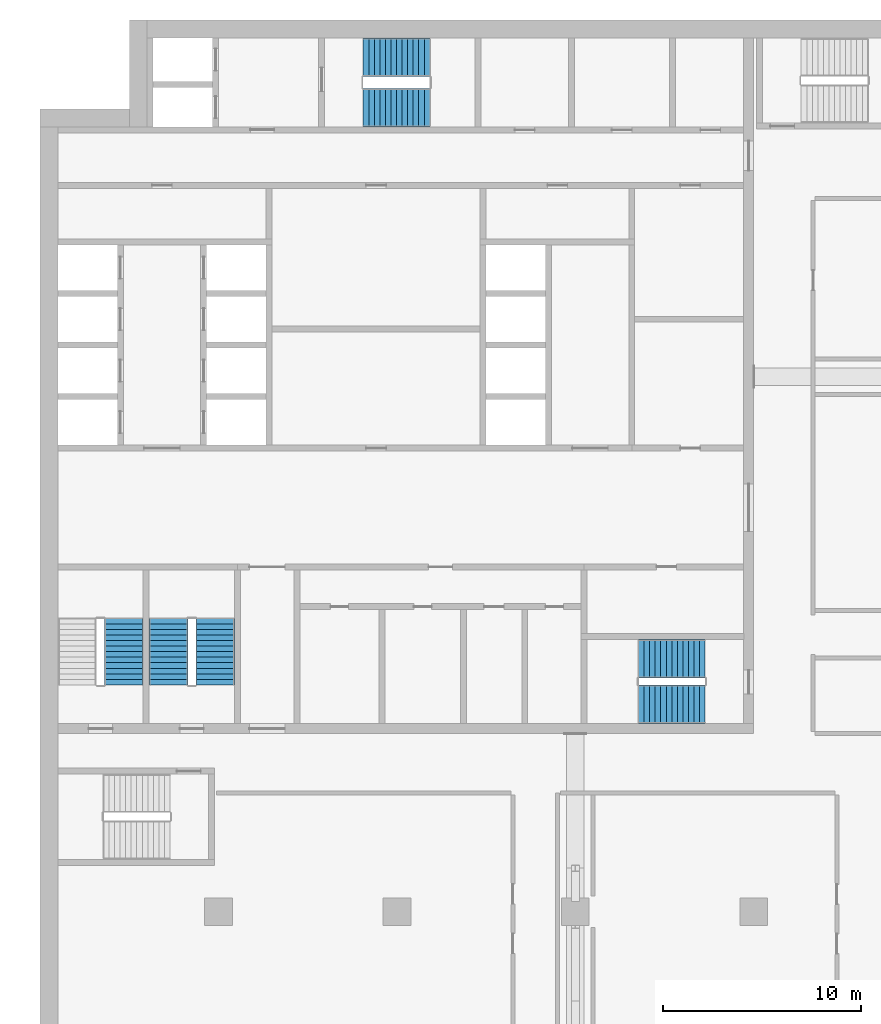
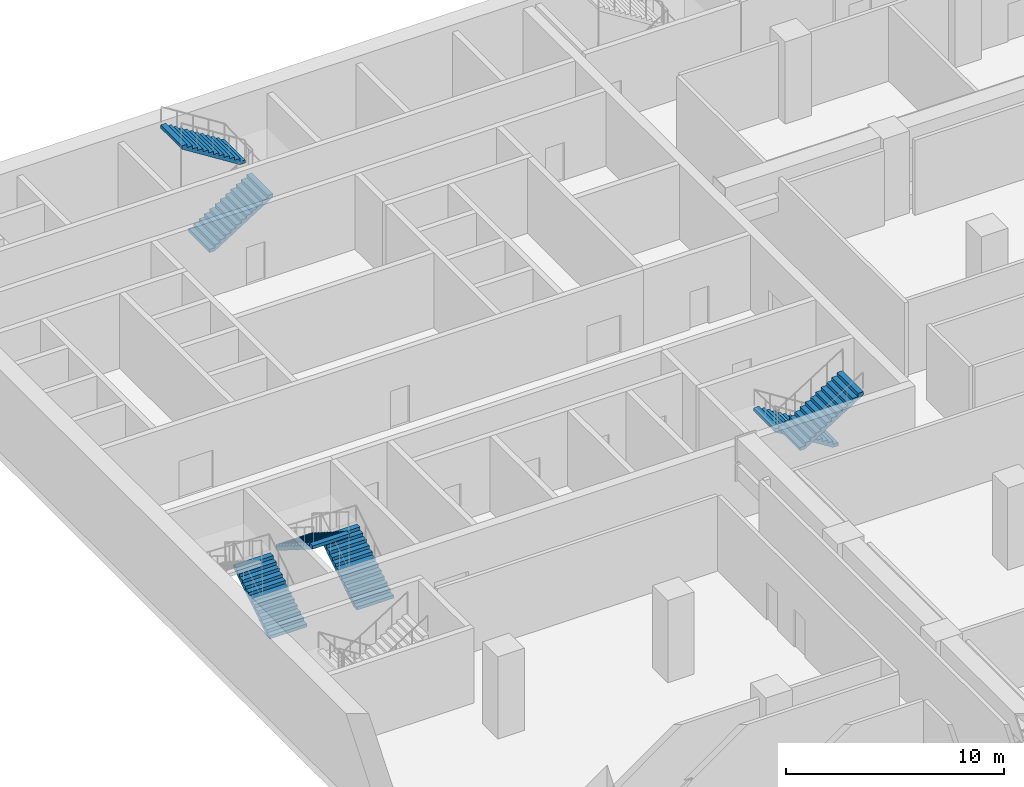
# One storey, part 16 of 24: 7 stair flights, 4 elements without a shape of their own.
"""IFC4 building model written with IfcOpenShell, lengths in metres."""

from ifc_helpers import new_model, si_unit, direction, frame, origin, place, context, subcontext, project, spatial, polyline, outline, extrude, material, type_object, element, aggregate, save


model = new_model("IFC4")

# Units and contexts
model_context = context("Model", 3, precision=1e-05, world=origin(), true_north=direction((0.0, 1.0)))
body_context = subcontext(model_context, "Body", "Model", "MODEL_VIEW")
ifc_project = project(units=[si_unit("LENGTHUNIT", "METRE"), si_unit("AREAUNIT", "SQUARE_METRE"), si_unit("VOLUMEUNIT", "CUBIC_METRE"), si_unit("PLANEANGLEUNIT", "RADIAN"), si_unit("MASSUNIT", "GRAM", prefix="KILO")], contexts=[model_context])

# Site, building, storey
site_placement = place(None, origin())
site = spatial("IfcSite", under=ifc_project, at=site_placement, CompositionType="ELEMENT")
building_placement = place(site_placement, origin())
building = spatial("IfcBuilding", under=site, at=building_placement, Name="Hunhe Ridgeline Campus", CompositionType="ELEMENT")
storey_placement = place(building_placement, frame((0.0, 0.0, 80.199951171875)))
storey = spatial("IfcBuildingStorey", under=building, at=storey_placement, Name="L19", CompositionType="ELEMENT", Elevation=80.199951171875)

# Stair, stair flights
ifc_material = material(Name="Concrete C40", Category="concrete")
stair_type = type_object("IfcStairType", Name="Reinforced concrete dog-leg stair 1950 Concrete C40", PredefinedType="HALF_TURN_STAIR", material=ifc_material)
stair_1_placement = place(storey_placement, origin())
stair_1 = element("IfcStair", 1, at=stair_1_placement, inside=storey, type_object=stair_type, Name="L19 S1", PredefinedType="HALF_TURN_STAIR")
stair_flight_type = type_object("IfcStairFlightType", Name="Reinforced concrete stair flight 1950 Concrete C40", PredefinedType="STRAIGHT", material=ifc_material)
stair_flight_1_placement = place(storey_placement, frame((16.300048828125, 94.574951171875, 0.0), z_axis=(0.0, 0.0, 1.0), x_axis=(1.0, 0.0, 0.0)))
stair_flight_1 = element("IfcStairFlight", 2, at=stair_flight_1_placement, type_object=stair_flight_type, Name="ST1 flight 1", NumberOfRisers=13, NumberOfTreads=12, PredefinedType="STRAIGHT", RiserHeight=0.176923077, TreadLength=0.28, context=body_context, shape_type="SweptSolid", body=[
    extrude(outline(polyline([(0.0, 0.0), (0.0, 0.177001953125), (0.280029296875, 0.177001953125), (0.280029296875, 0.353759765625), (0.56005859375, 0.353759765625), (0.56005859375, 0.53076171875), (0.840087890625, 0.53076171875), (0.840087890625, 0.707763671875), (1.1201171875, 0.707763671875), (1.1201171875, 0.884521484375), (1.39990234375, 0.884521484375), (1.39990234375, 1.0615234375), (1.679931640625, 1.0615234375), (1.679931640625, 1.238525390625), (1.9599609375, 1.238525390625), (1.9599609375, 1.415283203125), (2.239990234375, 1.415283203125), (2.239990234375, 1.59228515625), (2.52001953125, 1.59228515625), (2.52001953125, 1.769287109375), (2.800048828125, 1.769287109375), (2.800048828125, 1.946044921875), (3.080078125, 1.946044921875), (3.080078125, 2.123046875), (3.360107421875, 2.123046875), (3.360107421875, 2.300048828125), (3.360107421875, 1.94580078125), (0.280517578125, 0.0), (0.0, 0.0)])), frame((0.0, 0.97509765625, 0.0), z_axis=(0.0, -1.0, 0.0), x_axis=(1.0, 0.0, 0.0)), (0.0, 0.0, 1.0), 1.949951171875),
    extrude(outline(polyline([(0.030029296875, 0.030029296875), (0.030029296875, 0.14697265625), (0.31005859375, 0.14697265625), (0.31005859375, 0.32373046875), (0.590087890625, 0.32373046875), (0.590087890625, 0.500732421875), (0.8701171875, 0.500732421875), (0.8701171875, 0.677734375), (1.14990234375, 0.677734375), (1.14990234375, 0.8544921875), (1.429931640625, 0.8544921875), (1.429931640625, 1.031494140625), (1.7099609375, 1.031494140625), (1.7099609375, 1.20849609375), (1.989990234375, 1.20849609375), (1.989990234375, 1.385498046875), (2.27001953125, 1.385498046875), (2.27001953125, 1.562255859375), (2.550048828125, 1.562255859375), (2.550048828125, 1.7392578125), (2.830078125, 1.7392578125), (2.830078125, 1.916259765625), (3.110107421875, 1.916259765625), (3.110107421875, 2.093017578125), (3.330078125, 2.093017578125), (3.330078125, 1.96240234375), (0.27197265625, 0.030029296875), (0.030029296875, 0.030029296875)])), frame((0.0, -0.070068359375, 0.0), z_axis=(0.0, -1.0, 0.0), x_axis=(1.0, 0.0, 0.0)), (0.0, 0.0, 1.0), 0.019775390625),
    extrude(outline(polyline([(0.030029296875, 0.030029296875), (0.030029296875, 0.14697265625), (0.31005859375, 0.14697265625), (0.31005859375, 0.32373046875), (0.590087890625, 0.32373046875), (0.590087890625, 0.500732421875), (0.8701171875, 0.500732421875), (0.8701171875, 0.677734375), (1.14990234375, 0.677734375), (1.14990234375, 0.8544921875), (1.429931640625, 0.8544921875), (1.429931640625, 1.031494140625), (1.7099609375, 1.031494140625), (1.7099609375, 1.20849609375), (1.989990234375, 1.20849609375), (1.989990234375, 1.385498046875), (2.27001953125, 1.385498046875), (2.27001953125, 1.562255859375), (2.550048828125, 1.562255859375), (2.550048828125, 1.7392578125), (2.830078125, 1.7392578125), (2.830078125, 1.916259765625), (3.110107421875, 1.916259765625), (3.110107421875, 2.093017578125), (3.330078125, 2.093017578125), (3.330078125, 1.96240234375), (0.27197265625, 0.030029296875), (0.030029296875, 0.030029296875)])), frame((0.0, 0.010009765625, 0.0), z_axis=(0.0, -1.0, 0.0), x_axis=(1.0, 0.0, 0.0)), (0.0, 0.0, 1.0), 0.019775390625),
    extrude(outline(polyline([(0.030029296875, 0.030029296875), (0.030029296875, 0.14697265625), (0.31005859375, 0.14697265625), (0.31005859375, 0.32373046875), (0.590087890625, 0.32373046875), (0.590087890625, 0.500732421875), (0.8701171875, 0.500732421875), (0.8701171875, 0.677734375), (1.14990234375, 0.677734375), (1.14990234375, 0.8544921875), (1.429931640625, 0.8544921875), (1.429931640625, 1.031494140625), (1.7099609375, 1.031494140625), (1.7099609375, 1.20849609375), (1.989990234375, 1.20849609375), (1.989990234375, 1.385498046875), (2.27001953125, 1.385498046875), (2.27001953125, 1.562255859375), (2.550048828125, 1.562255859375), (2.550048828125, 1.7392578125), (2.830078125, 1.7392578125), (2.830078125, 1.916259765625), (3.110107421875, 1.916259765625), (3.110107421875, 2.093017578125), (3.330078125, 2.093017578125), (3.330078125, 1.96240234375), (0.27197265625, 0.030029296875), (0.030029296875, 0.030029296875)])), frame((0.0, 0.090087890625, 0.0), z_axis=(0.0, -1.0, 0.0), x_axis=(1.0, 0.0, 0.0)), (0.0, 0.0, 1.0), 0.019775390625),
])
stair_flight_2_placement = place(storey_placement, frame((19.659912109375, 97.125, 2.300048828125), z_axis=(0.0, 0.0, 1.0), x_axis=(-1.0, 0.0, 0.0)))
stair_flight_2 = element("IfcStairFlight", 3, at=stair_flight_2_placement, type_object=stair_flight_type, Name="ST1 flight 2", NumberOfRisers=13, NumberOfTreads=12, PredefinedType="STRAIGHT", RiserHeight=0.176923077, TreadLength=0.28, context=body_context, shape_type="SweptSolid", body=[
    extrude(outline(polyline([(0.0, 0.0), (0.0, 0.177001953125), (0.280029296875, 0.177001953125), (0.280029296875, 0.353759765625), (0.56005859375, 0.353759765625), (0.56005859375, 0.53076171875), (0.840087890625, 0.53076171875), (0.840087890625, 0.707763671875), (1.1201171875, 0.707763671875), (1.1201171875, 0.884521484375), (1.39990234375, 0.884521484375), (1.39990234375, 1.0615234375), (1.679931640625, 1.0615234375), (1.679931640625, 1.238525390625), (1.9599609375, 1.238525390625), (1.9599609375, 1.415283203125), (2.239990234375, 1.415283203125), (2.239990234375, 1.59228515625), (2.52001953125, 1.59228515625), (2.52001953125, 1.769287109375), (2.800048828125, 1.769287109375), (2.800048828125, 1.946044921875), (3.080078125, 1.946044921875), (3.080078125, 2.123046875), (3.360107421875, 2.123046875), (3.360107421875, 2.300048828125), (3.360107421875, 1.94580078125), (0.280517578125, 0.0), (0.0, 0.0)])), frame((0.0, 0.97509765625, 0.0), z_axis=(0.0, -1.0, 0.0), x_axis=(1.0, 0.0, 0.0)), (0.0, 0.0, 1.0), 1.949951171875),
    extrude(outline(polyline([(0.030029296875, 0.030029296875), (0.030029296875, 0.14697265625), (0.31005859375, 0.14697265625), (0.31005859375, 0.32373046875), (0.590087890625, 0.32373046875), (0.590087890625, 0.500732421875), (0.8701171875, 0.500732421875), (0.8701171875, 0.677734375), (1.14990234375, 0.677734375), (1.14990234375, 0.8544921875), (1.429931640625, 0.8544921875), (1.429931640625, 1.031494140625), (1.7099609375, 1.031494140625), (1.7099609375, 1.20849609375), (1.989990234375, 1.20849609375), (1.989990234375, 1.385498046875), (2.27001953125, 1.385498046875), (2.27001953125, 1.562255859375), (2.550048828125, 1.562255859375), (2.550048828125, 1.7392578125), (2.830078125, 1.7392578125), (2.830078125, 1.916259765625), (3.110107421875, 1.916259765625), (3.110107421875, 2.093017578125), (3.330078125, 2.093017578125), (3.330078125, 1.96240234375), (0.27197265625, 0.030029296875), (0.030029296875, 0.030029296875)])), frame((0.0, -0.070068359375, 0.0), z_axis=(0.0, -1.0, 0.0), x_axis=(1.0, 0.0, 0.0)), (0.0, 0.0, 1.0), 0.019775390625),
    extrude(outline(polyline([(0.030029296875, 0.030029296875), (0.030029296875, 0.14697265625), (0.31005859375, 0.14697265625), (0.31005859375, 0.32373046875), (0.590087890625, 0.32373046875), (0.590087890625, 0.500732421875), (0.8701171875, 0.500732421875), (0.8701171875, 0.677734375), (1.14990234375, 0.677734375), (1.14990234375, 0.8544921875), (1.429931640625, 0.8544921875), (1.429931640625, 1.031494140625), (1.7099609375, 1.031494140625), (1.7099609375, 1.20849609375), (1.989990234375, 1.20849609375), (1.989990234375, 1.385498046875), (2.27001953125, 1.385498046875), (2.27001953125, 1.562255859375), (2.550048828125, 1.562255859375), (2.550048828125, 1.7392578125), (2.830078125, 1.7392578125), (2.830078125, 1.916259765625), (3.110107421875, 1.916259765625), (3.110107421875, 2.093017578125), (3.330078125, 2.093017578125), (3.330078125, 1.96240234375), (0.27197265625, 0.030029296875), (0.030029296875, 0.030029296875)])), frame((0.0, 0.010009765625, 0.0), z_axis=(0.0, -1.0, 0.0), x_axis=(1.0, 0.0, 0.0)), (0.0, 0.0, 1.0), 0.019775390625),
    extrude(outline(polyline([(0.030029296875, 0.030029296875), (0.030029296875, 0.14697265625), (0.31005859375, 0.14697265625), (0.31005859375, 0.32373046875), (0.590087890625, 0.32373046875), (0.590087890625, 0.500732421875), (0.8701171875, 0.500732421875), (0.8701171875, 0.677734375), (1.14990234375, 0.677734375), (1.14990234375, 0.8544921875), (1.429931640625, 0.8544921875), (1.429931640625, 1.031494140625), (1.7099609375, 1.031494140625), (1.7099609375, 1.20849609375), (1.989990234375, 1.20849609375), (1.989990234375, 1.385498046875), (2.27001953125, 1.385498046875), (2.27001953125, 1.562255859375), (2.550048828125, 1.562255859375), (2.550048828125, 1.7392578125), (2.830078125, 1.7392578125), (2.830078125, 1.916259765625), (3.110107421875, 1.916259765625), (3.110107421875, 2.093017578125), (3.330078125, 2.093017578125), (3.330078125, 1.96240234375), (0.27197265625, 0.030029296875), (0.030029296875, 0.030029296875)])), frame((0.0, 0.090087890625, 0.0), z_axis=(0.0, -1.0, 0.0), x_axis=(1.0, 0.0, 0.0)), (0.0, 0.0, 1.0), 0.019775390625),
])
aggregate(stair_1, [stair_flight_1, stair_flight_2])

stair_2_placement = place(storey_placement, origin())
stair_2 = element("IfcStair", 4, at=stair_2_placement, inside=storey, type_object=stair_type, Name="L19 S2", PredefinedType="HALF_TURN_STAIR")
stair_flight_3_placement = place(storey_placement, frame((33.550048828125, 66.77490234375, 0.0), z_axis=(0.0, 0.0, 1.0), x_axis=(-1.0, 0.0, 0.0)))
stair_flight_3 = element("IfcStairFlight", 5, at=stair_flight_3_placement, type_object=stair_flight_type, Name="ST2 flight 1", NumberOfRisers=13, NumberOfTreads=12, PredefinedType="STRAIGHT", RiserHeight=0.176923077, TreadLength=0.28, context=body_context, shape_type="SweptSolid", body=[
    extrude(outline(polyline([(0.0, 0.0), (0.0, 0.177001953125), (0.280029296875, 0.177001953125), (0.280029296875, 0.353759765625), (0.56005859375, 0.353759765625), (0.56005859375, 0.53076171875), (0.840087890625, 0.53076171875), (0.840087890625, 0.707763671875), (1.1201171875, 0.707763671875), (1.1201171875, 0.884521484375), (1.39990234375, 0.884521484375), (1.39990234375, 1.0615234375), (1.679931640625, 1.0615234375), (1.679931640625, 1.238525390625), (1.9599609375, 1.238525390625), (1.9599609375, 1.415283203125), (2.239990234375, 1.415283203125), (2.239990234375, 1.59228515625), (2.52001953125, 1.59228515625), (2.52001953125, 1.769287109375), (2.800048828125, 1.769287109375), (2.800048828125, 1.946044921875), (3.080078125, 1.946044921875), (3.080078125, 2.123046875), (3.360107421875, 2.123046875), (3.360107421875, 2.300048828125), (3.360107421875, 1.94580078125), (0.280517578125, 0.0), (0.0, 0.0)])), frame((0.0, 0.97509765625, 0.0), z_axis=(0.0, -1.0, 0.0), x_axis=(1.0, 0.0, 0.0)), (0.0, 0.0, 1.0), 1.949951171875),
    extrude(outline(polyline([(0.030029296875, 0.030029296875), (0.030029296875, 0.14697265625), (0.31005859375, 0.14697265625), (0.31005859375, 0.32373046875), (0.590087890625, 0.32373046875), (0.590087890625, 0.500732421875), (0.8701171875, 0.500732421875), (0.8701171875, 0.677734375), (1.14990234375, 0.677734375), (1.14990234375, 0.8544921875), (1.429931640625, 0.8544921875), (1.429931640625, 1.031494140625), (1.7099609375, 1.031494140625), (1.7099609375, 1.20849609375), (1.989990234375, 1.20849609375), (1.989990234375, 1.385498046875), (2.27001953125, 1.385498046875), (2.27001953125, 1.562255859375), (2.550048828125, 1.562255859375), (2.550048828125, 1.7392578125), (2.830078125, 1.7392578125), (2.830078125, 1.916259765625), (3.110107421875, 1.916259765625), (3.110107421875, 2.093017578125), (3.330078125, 2.093017578125), (3.330078125, 1.96240234375), (0.27197265625, 0.030029296875), (0.030029296875, 0.030029296875)])), frame((0.0, -0.070068359375, 0.0), z_axis=(0.0, -1.0, 0.0), x_axis=(1.0, 0.0, 0.0)), (0.0, 0.0, 1.0), 0.019775390625),
    extrude(outline(polyline([(0.030029296875, 0.030029296875), (0.030029296875, 0.14697265625), (0.31005859375, 0.14697265625), (0.31005859375, 0.32373046875), (0.590087890625, 0.32373046875), (0.590087890625, 0.500732421875), (0.8701171875, 0.500732421875), (0.8701171875, 0.677734375), (1.14990234375, 0.677734375), (1.14990234375, 0.8544921875), (1.429931640625, 0.8544921875), (1.429931640625, 1.031494140625), (1.7099609375, 1.031494140625), (1.7099609375, 1.20849609375), (1.989990234375, 1.20849609375), (1.989990234375, 1.385498046875), (2.27001953125, 1.385498046875), (2.27001953125, 1.562255859375), (2.550048828125, 1.562255859375), (2.550048828125, 1.7392578125), (2.830078125, 1.7392578125), (2.830078125, 1.916259765625), (3.110107421875, 1.916259765625), (3.110107421875, 2.093017578125), (3.330078125, 2.093017578125), (3.330078125, 1.96240234375), (0.27197265625, 0.030029296875), (0.030029296875, 0.030029296875)])), frame((0.0, 0.010009765625, 0.0), z_axis=(0.0, -1.0, 0.0), x_axis=(1.0, 0.0, 0.0)), (0.0, 0.0, 1.0), 0.019775390625),
    extrude(outline(polyline([(0.030029296875, 0.030029296875), (0.030029296875, 0.14697265625), (0.31005859375, 0.14697265625), (0.31005859375, 0.32373046875), (0.590087890625, 0.32373046875), (0.590087890625, 0.500732421875), (0.8701171875, 0.500732421875), (0.8701171875, 0.677734375), (1.14990234375, 0.677734375), (1.14990234375, 0.8544921875), (1.429931640625, 0.8544921875), (1.429931640625, 1.031494140625), (1.7099609375, 1.031494140625), (1.7099609375, 1.20849609375), (1.989990234375, 1.20849609375), (1.989990234375, 1.385498046875), (2.27001953125, 1.385498046875), (2.27001953125, 1.562255859375), (2.550048828125, 1.562255859375), (2.550048828125, 1.7392578125), (2.830078125, 1.7392578125), (2.830078125, 1.916259765625), (3.110107421875, 1.916259765625), (3.110107421875, 2.093017578125), (3.330078125, 2.093017578125), (3.330078125, 1.96240234375), (0.27197265625, 0.030029296875), (0.030029296875, 0.030029296875)])), frame((0.0, 0.090087890625, 0.0), z_axis=(0.0, -1.0, 0.0), x_axis=(1.0, 0.0, 0.0)), (0.0, 0.0, 1.0), 0.019775390625),
])
stair_flight_4_placement = place(storey_placement, frame((30.18994140625, 64.47509765625, 2.300048828125), z_axis=(0.0, 0.0, 1.0), x_axis=(1.0, 0.0, 0.0)))
stair_flight_4 = element("IfcStairFlight", 6, at=stair_flight_4_placement, type_object=stair_flight_type, Name="ST2 flight 2", NumberOfRisers=13, NumberOfTreads=12, PredefinedType="STRAIGHT", RiserHeight=0.176923077, TreadLength=0.28, context=body_context, shape_type="SweptSolid", body=[
    extrude(outline(polyline([(0.0, 0.0), (0.0, 0.177001953125), (0.280029296875, 0.177001953125), (0.280029296875, 0.353759765625), (0.56005859375, 0.353759765625), (0.56005859375, 0.53076171875), (0.840087890625, 0.53076171875), (0.840087890625, 0.707763671875), (1.1201171875, 0.707763671875), (1.1201171875, 0.884521484375), (1.39990234375, 0.884521484375), (1.39990234375, 1.0615234375), (1.679931640625, 1.0615234375), (1.679931640625, 1.238525390625), (1.9599609375, 1.238525390625), (1.9599609375, 1.415283203125), (2.239990234375, 1.415283203125), (2.239990234375, 1.59228515625), (2.52001953125, 1.59228515625), (2.52001953125, 1.769287109375), (2.800048828125, 1.769287109375), (2.800048828125, 1.946044921875), (3.080078125, 1.946044921875), (3.080078125, 2.123046875), (3.360107421875, 2.123046875), (3.360107421875, 2.300048828125), (3.360107421875, 1.94580078125), (0.280517578125, 0.0), (0.0, 0.0)])), frame((0.0, 0.97509765625, 0.0), z_axis=(0.0, -1.0, 0.0), x_axis=(1.0, 0.0, 0.0)), (0.0, 0.0, 1.0), 1.949951171875),
    extrude(outline(polyline([(0.030029296875, 0.030029296875), (0.030029296875, 0.14697265625), (0.31005859375, 0.14697265625), (0.31005859375, 0.32373046875), (0.590087890625, 0.32373046875), (0.590087890625, 0.500732421875), (0.8701171875, 0.500732421875), (0.8701171875, 0.677734375), (1.14990234375, 0.677734375), (1.14990234375, 0.8544921875), (1.429931640625, 0.8544921875), (1.429931640625, 1.031494140625), (1.7099609375, 1.031494140625), (1.7099609375, 1.20849609375), (1.989990234375, 1.20849609375), (1.989990234375, 1.385498046875), (2.27001953125, 1.385498046875), (2.27001953125, 1.562255859375), (2.550048828125, 1.562255859375), (2.550048828125, 1.7392578125), (2.830078125, 1.7392578125), (2.830078125, 1.916259765625), (3.110107421875, 1.916259765625), (3.110107421875, 2.093017578125), (3.330078125, 2.093017578125), (3.330078125, 1.96240234375), (0.27197265625, 0.030029296875), (0.030029296875, 0.030029296875)])), frame((0.0, -0.070068359375, 0.0), z_axis=(0.0, -1.0, 0.0), x_axis=(1.0, 0.0, 0.0)), (0.0, 0.0, 1.0), 0.019775390625),
    extrude(outline(polyline([(0.030029296875, 0.030029296875), (0.030029296875, 0.14697265625), (0.31005859375, 0.14697265625), (0.31005859375, 0.32373046875), (0.590087890625, 0.32373046875), (0.590087890625, 0.500732421875), (0.8701171875, 0.500732421875), (0.8701171875, 0.677734375), (1.14990234375, 0.677734375), (1.14990234375, 0.8544921875), (1.429931640625, 0.8544921875), (1.429931640625, 1.031494140625), (1.7099609375, 1.031494140625), (1.7099609375, 1.20849609375), (1.989990234375, 1.20849609375), (1.989990234375, 1.385498046875), (2.27001953125, 1.385498046875), (2.27001953125, 1.562255859375), (2.550048828125, 1.562255859375), (2.550048828125, 1.7392578125), (2.830078125, 1.7392578125), (2.830078125, 1.916259765625), (3.110107421875, 1.916259765625), (3.110107421875, 2.093017578125), (3.330078125, 2.093017578125), (3.330078125, 1.96240234375), (0.27197265625, 0.030029296875), (0.030029296875, 0.030029296875)])), frame((0.0, 0.010009765625, 0.0), z_axis=(0.0, -1.0, 0.0), x_axis=(1.0, 0.0, 0.0)), (0.0, 0.0, 1.0), 0.019775390625),
    extrude(outline(polyline([(0.030029296875, 0.030029296875), (0.030029296875, 0.14697265625), (0.31005859375, 0.14697265625), (0.31005859375, 0.32373046875), (0.590087890625, 0.32373046875), (0.590087890625, 0.500732421875), (0.8701171875, 0.500732421875), (0.8701171875, 0.677734375), (1.14990234375, 0.677734375), (1.14990234375, 0.8544921875), (1.429931640625, 0.8544921875), (1.429931640625, 1.031494140625), (1.7099609375, 1.031494140625), (1.7099609375, 1.20849609375), (1.989990234375, 1.20849609375), (1.989990234375, 1.385498046875), (2.27001953125, 1.385498046875), (2.27001953125, 1.562255859375), (2.550048828125, 1.562255859375), (2.550048828125, 1.7392578125), (2.830078125, 1.7392578125), (2.830078125, 1.916259765625), (3.110107421875, 1.916259765625), (3.110107421875, 2.093017578125), (3.330078125, 2.093017578125), (3.330078125, 1.96240234375), (0.27197265625, 0.030029296875), (0.030029296875, 0.030029296875)])), frame((0.0, 0.090087890625, 0.0), z_axis=(0.0, -1.0, 0.0), x_axis=(1.0, 0.0, 0.0)), (0.0, 0.0, 1.0), 0.019775390625),
])
aggregate(stair_2, [stair_flight_3, stair_flight_4])

# Stair, stair flight
stair_3_placement = place(storey_placement, origin())
stair_3 = element("IfcStair", 7, at=stair_3_placement, inside=storey, type_object=stair_type, Name="L19 S3", PredefinedType="HALF_TURN_STAIR")
stair_flight_5_placement = place(storey_placement, frame((4.22509765625, 65.449951171875, 0.0), z_axis=(0.0, 0.0, 1.0), x_axis=(0.0, 1.0, 0.0)))
stair_flight_5 = element("IfcStairFlight", 8, at=stair_flight_5_placement, type_object=stair_flight_type, Name="ST3 flight 1", NumberOfRisers=13, NumberOfTreads=12, PredefinedType="STRAIGHT", RiserHeight=0.176923077, TreadLength=0.28, context=body_context, shape_type="SweptSolid", body=[
    extrude(outline(polyline([(0.0, 0.0), (0.0, 0.177001953125), (0.280029296875, 0.177001953125), (0.280029296875, 0.353759765625), (0.56005859375, 0.353759765625), (0.56005859375, 0.53076171875), (0.840087890625, 0.53076171875), (0.840087890625, 0.707763671875), (1.1201171875, 0.707763671875), (1.1201171875, 0.884521484375), (1.39990234375, 0.884521484375), (1.39990234375, 1.0615234375), (1.679931640625, 1.0615234375), (1.679931640625, 1.238525390625), (1.9599609375, 1.238525390625), (1.9599609375, 1.415283203125), (2.239990234375, 1.415283203125), (2.239990234375, 1.59228515625), (2.52001953125, 1.59228515625), (2.52001953125, 1.769287109375), (2.800048828125, 1.769287109375), (2.800048828125, 1.946044921875), (3.080078125, 1.946044921875), (3.080078125, 2.123046875), (3.360107421875, 2.123046875), (3.360107421875, 2.300048828125), (3.360107421875, 1.94580078125), (0.280517578125, 0.0), (0.0, 0.0)])), frame((0.0, 0.97509765625, 0.0), z_axis=(0.0, -1.0, 0.0), x_axis=(1.0, 0.0, 0.0)), (0.0, 0.0, 1.0), 1.949951171875),
    extrude(outline(polyline([(0.030029296875, 0.030029296875), (0.030029296875, 0.14697265625), (0.31005859375, 0.14697265625), (0.31005859375, 0.32373046875), (0.590087890625, 0.32373046875), (0.590087890625, 0.500732421875), (0.8701171875, 0.500732421875), (0.8701171875, 0.677734375), (1.14990234375, 0.677734375), (1.14990234375, 0.8544921875), (1.429931640625, 0.8544921875), (1.429931640625, 1.031494140625), (1.7099609375, 1.031494140625), (1.7099609375, 1.20849609375), (1.989990234375, 1.20849609375), (1.989990234375, 1.385498046875), (2.27001953125, 1.385498046875), (2.27001953125, 1.562255859375), (2.550048828125, 1.562255859375), (2.550048828125, 1.7392578125), (2.830078125, 1.7392578125), (2.830078125, 1.916259765625), (3.110107421875, 1.916259765625), (3.110107421875, 2.093017578125), (3.330078125, 2.093017578125), (3.330078125, 1.96240234375), (0.27197265625, 0.030029296875), (0.030029296875, 0.030029296875)])), frame((0.0, -0.070068359375, 0.0), z_axis=(0.0, -1.0, 0.0), x_axis=(1.0, 0.0, 0.0)), (0.0, 0.0, 1.0), 0.019775390625),
    extrude(outline(polyline([(0.030029296875, 0.030029296875), (0.030029296875, 0.14697265625), (0.31005859375, 0.14697265625), (0.31005859375, 0.32373046875), (0.590087890625, 0.32373046875), (0.590087890625, 0.500732421875), (0.8701171875, 0.500732421875), (0.8701171875, 0.677734375), (1.14990234375, 0.677734375), (1.14990234375, 0.8544921875), (1.429931640625, 0.8544921875), (1.429931640625, 1.031494140625), (1.7099609375, 1.031494140625), (1.7099609375, 1.20849609375), (1.989990234375, 1.20849609375), (1.989990234375, 1.385498046875), (2.27001953125, 1.385498046875), (2.27001953125, 1.562255859375), (2.550048828125, 1.562255859375), (2.550048828125, 1.7392578125), (2.830078125, 1.7392578125), (2.830078125, 1.916259765625), (3.110107421875, 1.916259765625), (3.110107421875, 2.093017578125), (3.330078125, 2.093017578125), (3.330078125, 1.96240234375), (0.27197265625, 0.030029296875), (0.030029296875, 0.030029296875)])), frame((0.0, 0.010009765625, 0.0), z_axis=(0.0, -1.0, 0.0), x_axis=(1.0, 0.0, 0.0)), (0.0, 0.0, 1.0), 0.019775390625),
    extrude(outline(polyline([(0.030029296875, 0.030029296875), (0.030029296875, 0.14697265625), (0.31005859375, 0.14697265625), (0.31005859375, 0.32373046875), (0.590087890625, 0.32373046875), (0.590087890625, 0.500732421875), (0.8701171875, 0.500732421875), (0.8701171875, 0.677734375), (1.14990234375, 0.677734375), (1.14990234375, 0.8544921875), (1.429931640625, 0.8544921875), (1.429931640625, 1.031494140625), (1.7099609375, 1.031494140625), (1.7099609375, 1.20849609375), (1.989990234375, 1.20849609375), (1.989990234375, 1.385498046875), (2.27001953125, 1.385498046875), (2.27001953125, 1.562255859375), (2.550048828125, 1.562255859375), (2.550048828125, 1.7392578125), (2.830078125, 1.7392578125), (2.830078125, 1.916259765625), (3.110107421875, 1.916259765625), (3.110107421875, 2.093017578125), (3.330078125, 2.093017578125), (3.330078125, 1.96240234375), (0.27197265625, 0.030029296875), (0.030029296875, 0.030029296875)])), frame((0.0, 0.090087890625, 0.0), z_axis=(0.0, -1.0, 0.0), x_axis=(1.0, 0.0, 0.0)), (0.0, 0.0, 1.0), 0.019775390625),
])
aggregate(stair_3, [stair_flight_5])

# Stair, stair flights
stair_4_placement = place(storey_placement, origin())
stair_4 = element("IfcStair", 9, at=stair_4_placement, inside=storey, type_object=stair_type, Name="L19 S4", PredefinedType="HALF_TURN_STAIR")
stair_flight_6_placement = place(storey_placement, frame((8.824951171875, 65.449951171875, 0.0), z_axis=(0.0, 0.0, 1.0), x_axis=(0.0, 1.0, 0.0)))
stair_flight_6 = element("IfcStairFlight", 10, at=stair_flight_6_placement, type_object=stair_flight_type, Name="ST4 flight 1", NumberOfRisers=13, NumberOfTreads=12, PredefinedType="STRAIGHT", RiserHeight=0.176923077, TreadLength=0.28, context=body_context, shape_type="SweptSolid", body=[
    extrude(outline(polyline([(0.0, 0.0), (0.0, 0.177001953125), (0.280029296875, 0.177001953125), (0.280029296875, 0.353759765625), (0.56005859375, 0.353759765625), (0.56005859375, 0.53076171875), (0.840087890625, 0.53076171875), (0.840087890625, 0.707763671875), (1.1201171875, 0.707763671875), (1.1201171875, 0.884521484375), (1.39990234375, 0.884521484375), (1.39990234375, 1.0615234375), (1.679931640625, 1.0615234375), (1.679931640625, 1.238525390625), (1.9599609375, 1.238525390625), (1.9599609375, 1.415283203125), (2.239990234375, 1.415283203125), (2.239990234375, 1.59228515625), (2.52001953125, 1.59228515625), (2.52001953125, 1.769287109375), (2.800048828125, 1.769287109375), (2.800048828125, 1.946044921875), (3.080078125, 1.946044921875), (3.080078125, 2.123046875), (3.360107421875, 2.123046875), (3.360107421875, 2.300048828125), (3.360107421875, 1.94580078125), (0.280517578125, 0.0), (0.0, 0.0)])), frame((0.0, 0.97509765625, 0.0), z_axis=(0.0, -1.0, 0.0), x_axis=(1.0, 0.0, 0.0)), (0.0, 0.0, 1.0), 1.949951171875),
    extrude(outline(polyline([(0.030029296875, 0.030029296875), (0.030029296875, 0.14697265625), (0.31005859375, 0.14697265625), (0.31005859375, 0.32373046875), (0.590087890625, 0.32373046875), (0.590087890625, 0.500732421875), (0.8701171875, 0.500732421875), (0.8701171875, 0.677734375), (1.14990234375, 0.677734375), (1.14990234375, 0.8544921875), (1.429931640625, 0.8544921875), (1.429931640625, 1.031494140625), (1.7099609375, 1.031494140625), (1.7099609375, 1.20849609375), (1.989990234375, 1.20849609375), (1.989990234375, 1.385498046875), (2.27001953125, 1.385498046875), (2.27001953125, 1.562255859375), (2.550048828125, 1.562255859375), (2.550048828125, 1.7392578125), (2.830078125, 1.7392578125), (2.830078125, 1.916259765625), (3.110107421875, 1.916259765625), (3.110107421875, 2.093017578125), (3.330078125, 2.093017578125), (3.330078125, 1.96240234375), (0.27197265625, 0.030029296875), (0.030029296875, 0.030029296875)])), frame((0.0, -0.070068359375, 0.0), z_axis=(0.0, -1.0, 0.0), x_axis=(1.0, 0.0, 0.0)), (0.0, 0.0, 1.0), 0.019775390625),
    extrude(outline(polyline([(0.030029296875, 0.030029296875), (0.030029296875, 0.14697265625), (0.31005859375, 0.14697265625), (0.31005859375, 0.32373046875), (0.590087890625, 0.32373046875), (0.590087890625, 0.500732421875), (0.8701171875, 0.500732421875), (0.8701171875, 0.677734375), (1.14990234375, 0.677734375), (1.14990234375, 0.8544921875), (1.429931640625, 0.8544921875), (1.429931640625, 1.031494140625), (1.7099609375, 1.031494140625), (1.7099609375, 1.20849609375), (1.989990234375, 1.20849609375), (1.989990234375, 1.385498046875), (2.27001953125, 1.385498046875), (2.27001953125, 1.562255859375), (2.550048828125, 1.562255859375), (2.550048828125, 1.7392578125), (2.830078125, 1.7392578125), (2.830078125, 1.916259765625), (3.110107421875, 1.916259765625), (3.110107421875, 2.093017578125), (3.330078125, 2.093017578125), (3.330078125, 1.96240234375), (0.27197265625, 0.030029296875), (0.030029296875, 0.030029296875)])), frame((0.0, 0.010009765625, 0.0), z_axis=(0.0, -1.0, 0.0), x_axis=(1.0, 0.0, 0.0)), (0.0, 0.0, 1.0), 0.019775390625),
    extrude(outline(polyline([(0.030029296875, 0.030029296875), (0.030029296875, 0.14697265625), (0.31005859375, 0.14697265625), (0.31005859375, 0.32373046875), (0.590087890625, 0.32373046875), (0.590087890625, 0.500732421875), (0.8701171875, 0.500732421875), (0.8701171875, 0.677734375), (1.14990234375, 0.677734375), (1.14990234375, 0.8544921875), (1.429931640625, 0.8544921875), (1.429931640625, 1.031494140625), (1.7099609375, 1.031494140625), (1.7099609375, 1.20849609375), (1.989990234375, 1.20849609375), (1.989990234375, 1.385498046875), (2.27001953125, 1.385498046875), (2.27001953125, 1.562255859375), (2.550048828125, 1.562255859375), (2.550048828125, 1.7392578125), (2.830078125, 1.7392578125), (2.830078125, 1.916259765625), (3.110107421875, 1.916259765625), (3.110107421875, 2.093017578125), (3.330078125, 2.093017578125), (3.330078125, 1.96240234375), (0.27197265625, 0.030029296875), (0.030029296875, 0.030029296875)])), frame((0.0, 0.090087890625, 0.0), z_axis=(0.0, -1.0, 0.0), x_axis=(1.0, 0.0, 0.0)), (0.0, 0.0, 1.0), 0.019775390625),
])
stair_flight_7_placement = place(storey_placement, frame((6.47509765625, 68.81005859375, 2.300048828125), z_axis=(0.0, 0.0, 1.0), x_axis=(0.0, -1.0, 0.0)))
stair_flight_7 = element("IfcStairFlight", 11, at=stair_flight_7_placement, type_object=stair_flight_type, Name="ST4 flight 2", NumberOfRisers=13, NumberOfTreads=12, PredefinedType="STRAIGHT", RiserHeight=0.176923077, TreadLength=0.28, context=body_context, shape_type="SweptSolid", body=[
    extrude(outline(polyline([(0.0, 0.0), (0.0, 0.177001953125), (0.280029296875, 0.177001953125), (0.280029296875, 0.353759765625), (0.56005859375, 0.353759765625), (0.56005859375, 0.53076171875), (0.840087890625, 0.53076171875), (0.840087890625, 0.707763671875), (1.1201171875, 0.707763671875), (1.1201171875, 0.884521484375), (1.39990234375, 0.884521484375), (1.39990234375, 1.0615234375), (1.679931640625, 1.0615234375), (1.679931640625, 1.238525390625), (1.9599609375, 1.238525390625), (1.9599609375, 1.415283203125), (2.239990234375, 1.415283203125), (2.239990234375, 1.59228515625), (2.52001953125, 1.59228515625), (2.52001953125, 1.769287109375), (2.800048828125, 1.769287109375), (2.800048828125, 1.946044921875), (3.080078125, 1.946044921875), (3.080078125, 2.123046875), (3.360107421875, 2.123046875), (3.360107421875, 2.300048828125), (3.360107421875, 1.94580078125), (0.280517578125, 0.0), (0.0, 0.0)])), frame((0.0, 0.97509765625, 0.0), z_axis=(0.0, -1.0, 0.0), x_axis=(1.0, 0.0, 0.0)), (0.0, 0.0, 1.0), 1.949951171875),
    extrude(outline(polyline([(0.030029296875, 0.030029296875), (0.030029296875, 0.14697265625), (0.31005859375, 0.14697265625), (0.31005859375, 0.32373046875), (0.590087890625, 0.32373046875), (0.590087890625, 0.500732421875), (0.8701171875, 0.500732421875), (0.8701171875, 0.677734375), (1.14990234375, 0.677734375), (1.14990234375, 0.8544921875), (1.429931640625, 0.8544921875), (1.429931640625, 1.031494140625), (1.7099609375, 1.031494140625), (1.7099609375, 1.20849609375), (1.989990234375, 1.20849609375), (1.989990234375, 1.385498046875), (2.27001953125, 1.385498046875), (2.27001953125, 1.562255859375), (2.550048828125, 1.562255859375), (2.550048828125, 1.7392578125), (2.830078125, 1.7392578125), (2.830078125, 1.916259765625), (3.110107421875, 1.916259765625), (3.110107421875, 2.093017578125), (3.330078125, 2.093017578125), (3.330078125, 1.96240234375), (0.27197265625, 0.030029296875), (0.030029296875, 0.030029296875)])), frame((0.0, -0.070068359375, 0.0), z_axis=(0.0, -1.0, 0.0), x_axis=(1.0, 0.0, 0.0)), (0.0, 0.0, 1.0), 0.019775390625),
    extrude(outline(polyline([(0.030029296875, 0.030029296875), (0.030029296875, 0.14697265625), (0.31005859375, 0.14697265625), (0.31005859375, 0.32373046875), (0.590087890625, 0.32373046875), (0.590087890625, 0.500732421875), (0.8701171875, 0.500732421875), (0.8701171875, 0.677734375), (1.14990234375, 0.677734375), (1.14990234375, 0.8544921875), (1.429931640625, 0.8544921875), (1.429931640625, 1.031494140625), (1.7099609375, 1.031494140625), (1.7099609375, 1.20849609375), (1.989990234375, 1.20849609375), (1.989990234375, 1.385498046875), (2.27001953125, 1.385498046875), (2.27001953125, 1.562255859375), (2.550048828125, 1.562255859375), (2.550048828125, 1.7392578125), (2.830078125, 1.7392578125), (2.830078125, 1.916259765625), (3.110107421875, 1.916259765625), (3.110107421875, 2.093017578125), (3.330078125, 2.093017578125), (3.330078125, 1.96240234375), (0.27197265625, 0.030029296875), (0.030029296875, 0.030029296875)])), frame((0.0, 0.010009765625, 0.0), z_axis=(0.0, -1.0, 0.0), x_axis=(1.0, 0.0, 0.0)), (0.0, 0.0, 1.0), 0.019775390625),
    extrude(outline(polyline([(0.030029296875, 0.030029296875), (0.030029296875, 0.14697265625), (0.31005859375, 0.14697265625), (0.31005859375, 0.32373046875), (0.590087890625, 0.32373046875), (0.590087890625, 0.500732421875), (0.8701171875, 0.500732421875), (0.8701171875, 0.677734375), (1.14990234375, 0.677734375), (1.14990234375, 0.8544921875), (1.429931640625, 0.8544921875), (1.429931640625, 1.031494140625), (1.7099609375, 1.031494140625), (1.7099609375, 1.20849609375), (1.989990234375, 1.20849609375), (1.989990234375, 1.385498046875), (2.27001953125, 1.385498046875), (2.27001953125, 1.562255859375), (2.550048828125, 1.562255859375), (2.550048828125, 1.7392578125), (2.830078125, 1.7392578125), (2.830078125, 1.916259765625), (3.110107421875, 1.916259765625), (3.110107421875, 2.093017578125), (3.330078125, 2.093017578125), (3.330078125, 1.96240234375), (0.27197265625, 0.030029296875), (0.030029296875, 0.030029296875)])), frame((0.0, 0.090087890625, 0.0), z_axis=(0.0, -1.0, 0.0), x_axis=(1.0, 0.0, 0.0)), (0.0, 0.0, 1.0), 0.019775390625),
])
aggregate(stair_4, [stair_flight_6, stair_flight_7])

save(model, "model.ifc")
